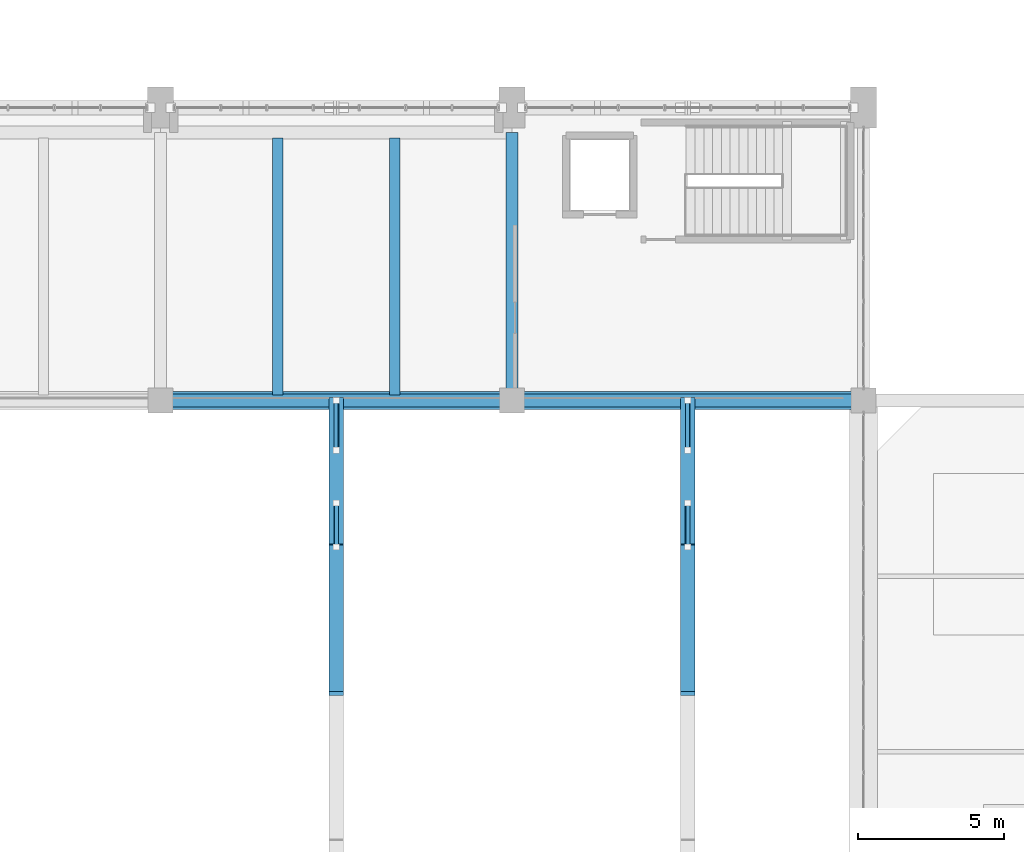
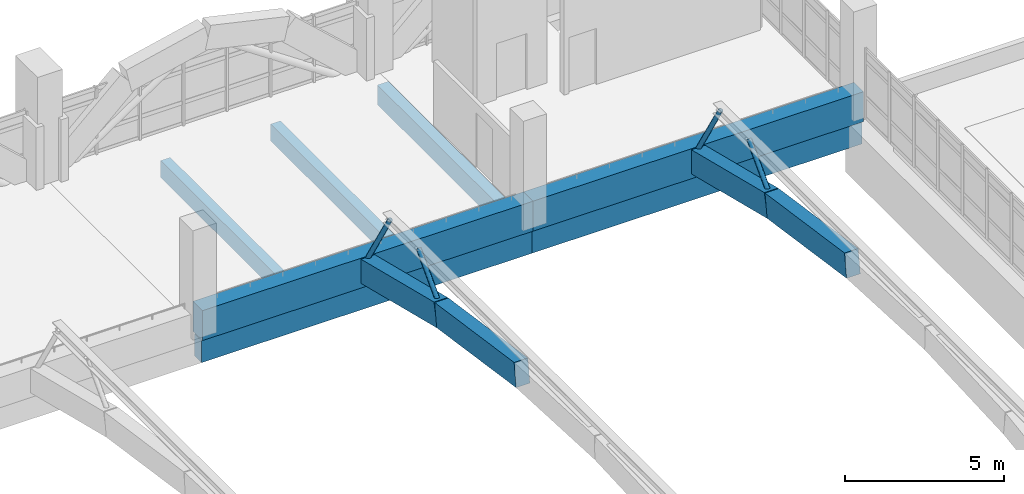
# One storey, part 56 of 161: 11 beams, 4 members.
"""IFC4 building model written with IfcOpenShell, lengths in metres."""

import ifcopenshell
import ifcopenshell.guid

model = None  # the IFC model being written
_history = None  # IfcOwnerHistory: only IFC2X3 demands one
_inside = {}  # id of a spatial element -> (the spatial element, [elements in it])
_under = {}  # id of a project, library or spatial element -> (it, [spatial elements below it])
_declared = {}  # id of a project -> (the project, [libraries it declares])
_typed = {}  # id of a type object -> (the type object, [elements of that type])
_made_of = {}  # id of a material, layer set ... -> (it, [elements and type objects made of it])


def new_model(schema):
    """Start an empty IFC model of exactly this schema.

    Asked for "IFC4X3", IfcOpenShell would pick the latest addendum, in which some entities
    have other attributes; the version numbers below select the first issue.
    IFC2X3 requires an IfcOwnerHistory on every rooted entity: one is made here for all.
    """
    global model, _history
    if schema == "IFC4X3":
        model = ifcopenshell.file(schema_version=(4, 3, 0, 0))
    else:
        model = ifcopenshell.file(schema=schema)
    _inside.clear()
    _under.clear()
    _declared.clear()
    _typed.clear()
    _made_of.clear()
    _history = None
    if model.schema == "IFC2X3":
        org = make("IfcOrganization", Name="unknown")
        user = make(
            "IfcPersonAndOrganization",
            ThePerson=make("IfcPerson", FamilyName="unknown"),
            TheOrganization=org,
        )
        app = make(
            "IfcApplication",
            ApplicationDeveloper=org,
            Version="unknown",
            ApplicationFullName="unknown",
            ApplicationIdentifier="unknown",
        )
        _history = make(
            "IfcOwnerHistory",
            OwningUser=user,
            OwningApplication=app,
            ChangeAction="ADDED",
            CreationDate=0,
        )
    return model


def make(cls, **values):
    """One entity of the class cls with the attributes given. An attribute that is None is left unset."""
    return model.create_entity(
        cls, **{name: value for name, value in values.items() if value is not None}
    )


def rooted(cls, **values):
    """An entity with a GlobalId (a new one), such as an element, a storey or a relation."""
    return make(cls, GlobalId=ifcopenshell.guid.new(), OwnerHistory=_history, **values)


def si_unit(unit_type, name, prefix=None):
    """IfcSIUnit, for example si_unit("LENGTHUNIT", "METRE", prefix="MILLI")."""
    return make("IfcSIUnit", UnitType=unit_type, Prefix=prefix, Name=name)


def assignment(units):
    """IfcUnitAssignment: the units of a project."""
    return None if units is None else make("IfcUnitAssignment", Units=units)


def point(xyz):
    """IfcCartesianPoint."""
    return None if xyz is None else make("IfcCartesianPoint", Coordinates=xyz)


def direction(xyz):
    """IfcDirection."""
    return None if xyz is None else make("IfcDirection", DirectionRatios=xyz)


def frame(location, z_axis=None, x_axis=None):
    """IfcAxis2Placement3D, a coordinate frame: its origin and axes. An axis left out is left unset."""
    return make(
        "IfcAxis2Placement3D",
        Location=point(location),
        Axis=direction(z_axis),
        RefDirection=direction(x_axis),
    )


def frame_2d(location, x_axis=None):
    """IfcAxis2Placement2D, a coordinate frame in the plane: its origin and x axis."""
    return make(
        "IfcAxis2Placement2D", Location=point(location), RefDirection=direction(x_axis)
    )


def origin():
    """The frame at (0, 0, 0) with its axes left unset."""
    return frame((0.0, 0.0, 0.0))


def origin_2d():
    """The frame at (0, 0) in the plane with its x axis left unset."""
    return frame_2d((0.0, 0.0))


def place(relative_to, where):
    """IfcLocalPlacement: puts the frame where relative to a parent placement (None: the world)."""
    return make(
        "IfcLocalPlacement", PlacementRelTo=relative_to, RelativePlacement=where
    )


def context(
    kind, dimensions, precision=None, world=None, true_north=None, identifier=None
):
    """IfcGeometricRepresentationContext, for example the 3D "Model" context."""
    return make(
        "IfcGeometricRepresentationContext",
        ContextIdentifier=identifier,
        ContextType=kind,
        CoordinateSpaceDimension=dimensions,
        Precision=precision,
        WorldCoordinateSystem=world,
        TrueNorth=true_north,
    )


def subcontext(parent, identifier, kind, view, scale=None):
    """IfcGeometricRepresentationSubContext, for example "Body" below "Model"."""
    return make(
        "IfcGeometricRepresentationSubContext",
        ContextIdentifier=identifier,
        ContextType=kind,
        ParentContext=parent,
        TargetScale=scale,
        TargetView=view,
    )


def project(units=None, contexts=None):
    """IfcProject with its units and contexts."""
    return rooted(
        "IfcProject",
        Name="project",
        RepresentationContexts=contexts,
        UnitsInContext=assignment(units),
    )


def spatial(cls, under=None, at=None, **own):
    """A site, building, storey or space (cls), placed at a placement, below another one or the project."""
    s = rooted(cls, ObjectPlacement=at, **own)
    if under is not None:
        _under.setdefault(under.id(), (under, []))[1].append(s)
    return s


def profile(cls, at=None, kind="AREA", **sizes):
    """A parametric profile (cls). Its sizes go by their IFC names, for example OverallWidth=200.0."""
    return make(cls, ProfileType=kind, Position=at, **sizes)


def rectangle(**sizes):
    """IfcRectangleProfileDef."""
    return profile("IfcRectangleProfileDef", **sizes)


def hollow_circle(**sizes):
    """IfcCircleHollowProfileDef."""
    return profile("IfcCircleHollowProfileDef", **sizes)


def extrude(swept, where, along, depth):
    """IfcExtrudedAreaSolid: the profile swept, set in the frame where, extruded along a direction by depth."""
    return make(
        "IfcExtrudedAreaSolid",
        SweptArea=swept,
        Position=where,
        ExtrudedDirection=direction(along),
        Depth=depth,
    )


def shape(context_of_items, identifier, shape_type, items):
    """IfcShapeRepresentation: the items that make up one representation, for example the "Body"."""
    return make(
        "IfcShapeRepresentation",
        ContextOfItems=context_of_items,
        RepresentationIdentifier=identifier,
        RepresentationType=shape_type,
        Items=items,
    )


def material(Name=None, Category=None):
    """IfcMaterial."""
    return make("IfcMaterial", Name=Name, Category=Category)


def material_profile(
    of_material, cross_section, Name=None, Category=None, Priority=None
):
    """IfcMaterialProfile: a cross section and its material."""
    return make(
        "IfcMaterialProfile",
        Name=Name,
        Material=of_material,
        Profile=cross_section,
        Priority=Priority,
        Category=Category,
    )


def profile_set(profiles, Name=None, composite=None):
    """IfcMaterialProfileSet."""
    return make(
        "IfcMaterialProfileSet",
        Name=Name,
        MaterialProfiles=profiles,
        CompositeProfile=composite,
    )


def made_of(thing, what):
    """Note that an element or type object is made of a material, layer set ...; save() writes the relation."""
    if what is not None:
        _made_of.setdefault(what.id(), (what, []))[1].append(thing)
    return thing


def type_object(cls, material=None, **own):
    """A type object (cls), such as IfcWallType, which elements share."""
    return made_of(rooted(cls, **own), material)


def element(
    cls,
    number,
    at=None,
    inside=None,
    cuts=None,
    type_object=None,
    material=None,
    context=None,
    identifier="Body",
    shape_type=None,
    held_by="IfcProductDefinitionShape",
    body=None,
    shapes=None,
    **own,
):
    """One element of the class cls, such as IfcWall. Its Tag is "e" and its number.

    at: its placement. inside: the storey or other place that contains it. cuts: it is an
    opening in that element (IfcRelVoidsElement). A single representation is given by context,
    identifier, shape_type and body (its items); several are given by shapes. held_by: the class
    of the entity that holds the representations. save() writes the other relations.
    """
    e = rooted(cls, Tag="e%d" % number, ObjectPlacement=at, **own)
    if body is not None:
        shapes = [shape(context, identifier, shape_type, body)]
    if shapes is not None:
        e.Representation = make(held_by, Representations=shapes)
    if inside is not None:
        _inside.setdefault(inside.id(), (inside, []))[1].append(e)
    if cuts is not None:
        rooted(
            "IfcRelVoidsElement", RelatingBuildingElement=cuts, RelatedOpeningElement=e
        )
    if type_object is not None:
        _typed.setdefault(type_object.id(), (type_object, []))[1].append(e)
    return made_of(e, material)


def aggregate(whole, parts):
    """IfcRelAggregates: a whole, such as a stair, and the parts it consists of."""
    return rooted("IfcRelAggregates", RelatingObject=whole, RelatedObjects=parts)


def save(model, path):
    """Write the relations noted so far, then the file.

    IfcRelAggregates (storeys below a building ...), IfcRelContainedInSpatialStructure (elements
    in a storey), IfcRelDefinesByType, IfcRelAssociatesMaterial and IfcRelDeclares: one each for
    every whole, place, type object, material and project.
    """
    for whole, parts in _under.values():
        aggregate(whole, parts)
    for where, things in _inside.values():
        rooted(
            "IfcRelContainedInSpatialStructure",
            RelatedElements=things,
            RelatingStructure=where,
        )
    for kind, things in _typed.values():
        rooted("IfcRelDefinesByType", RelatedObjects=things, RelatingType=kind)
    for what, things in _made_of.values():
        rooted("IfcRelAssociatesMaterial", RelatedObjects=things, RelatingMaterial=what)
    for by, libraries in _declared.values():
        rooted("IfcRelDeclares", RelatingContext=by, RelatedDefinitions=libraries)
    model.write(path)


model = new_model("IFC4")

# Units and contexts
model_context = context("Model", 3, precision=1e-05, world=origin(), true_north=direction((0.0, 1.0)))
body_context = subcontext(model_context, "Body", "Model", "MODEL_VIEW")
ifc_project = project(units=[si_unit("LENGTHUNIT", "METRE"), si_unit("AREAUNIT", "SQUARE_METRE"), si_unit("VOLUMEUNIT", "CUBIC_METRE"), si_unit("PLANEANGLEUNIT", "RADIAN"), si_unit("MASSUNIT", "GRAM", prefix="KILO")], contexts=[model_context])

# Site, building, storey
site_placement = place(None, origin())
site = spatial("IfcSite", under=ifc_project, at=site_placement, CompositionType="ELEMENT")
building_placement = place(site_placement, origin())
building = spatial("IfcBuilding", under=site, at=building_placement, Name="Mersad Railyard Sports Hall", CompositionType="ELEMENT")
storey_placement = place(building_placement, frame((0.0, 0.0, 4.800048828125)))
storey = spatial("IfcBuildingStorey", under=building, at=storey_placement, Name="L01", CompositionType="ELEMENT", Elevation=4.800048828125)

# Beams
ifc_material_1 = material(Name="Concrete C40/50", Category="concrete")
ifc_material_profile_1 = material_profile(ifc_material_1, rectangle(XDim=0.39990234375, YDim=0.75, at=origin_2d()), Name="RC 400x750")
ifc_profile_set_1 = profile_set([ifc_material_profile_1], Name="Concrete C40/50")
beam_type_1 = type_object("IfcBeamType", Name="STR-BM-B01", PredefinedType="BEAM", material=ifc_profile_set_1)
beam_1_placement = place(storey_placement, frame((79.0, 43.5, -0.655029296875), z_axis=(0.0, 1.0, 0.0), x_axis=(-1.0, 0.0, 0.0)))
element("IfcBeam", 1, at=beam_1_placement, inside=storey, type_object=beam_type_1, Name="Beam B01-0315", PredefinedType="BEAM", context=body_context, shape_type="SweptSolid", body=[
    extrude(rectangle(XDim=0.39990234375, YDim=0.75, at=origin_2d()), origin(), (0.0, 0.0, 1.0), 9.14990234375),
])
ifc_material_profile_2 = material_profile(ifc_material_1, rectangle(XDim=0.449951171875, YDim=0.85009765625, at=origin_2d()), Name="RC 450x850")
ifc_profile_set_2 = profile_set([ifc_material_profile_2], Name="Concrete C40/50")
beam_type_2 = type_object("IfcBeamType", Name="STR-BM-B02", PredefinedType="BEAM", material=ifc_profile_set_2)
for number, where, z_axis, x_axis, name in (
    (2, (67.0, 43.5, -0.705078125), (1.0, 0.0, 0.0), (0.0, 1.0, 0.0), "Beam B02-0304"),
    (3, (79.0, 43.5, -0.705078125), (1.0, 0.0, 0.0), (0.0, 1.0, 0.0), "Beam B02-0319"),
):
    element("IfcBeam", number, at=place(storey_placement, frame(where, z_axis=z_axis, x_axis=x_axis)), inside=storey, type_object=beam_type_2, Name=name, PredefinedType="BEAM", context=body_context, shape_type="SweptSolid", body=[
        extrude(rectangle(XDim=0.449951171875, YDim=0.85009765625, at=origin_2d()), origin(), (0.0, 0.0, 1.0), 12.0),
    ])
ifc_material_2 = material(Name="Concrete C50/60", Category="concrete")
ifc_material_profile_3 = material_profile(ifc_material_2, rectangle(XDim=0.60009765625, YDim=1.14990234375, at=origin_2d()), Name="RC 600x1150")
ifc_profile_set_3 = profile_set([ifc_material_profile_3], Name="Concrete C50/60")
beam_type_3 = type_object("IfcBeamType", Name="STR-BM-B05", PredefinedType="BEAM", material=ifc_profile_set_3)
for number, where, z_axis, x_axis, name in (
    (4, (67.0, 43.5, 0.33984375), (1.0, 0.0, 0.0), (0.0, 1.0, 0.0), "Beam B05-0545"),
    (5, (79.0, 43.5, 0.33984375), (1.0, 0.0, 0.0), (0.0, 1.0, 0.0), "Beam B05-0553"),
):
    element("IfcBeam", number, at=place(storey_placement, frame(where, z_axis=z_axis, x_axis=x_axis)), inside=storey, type_object=beam_type_3, Name=name, PredefinedType="BEAM", context=body_context, shape_type="SweptSolid", body=[
        extrude(rectangle(XDim=0.60009765625, YDim=1.14990234375, at=origin_2d()), origin(), (0.0, 0.0, 1.0), 12.0),
    ])
ifc_material_profile_4 = material_profile(ifc_material_1, rectangle(XDim=0.35009765625, YDim=0.64990234375, at=origin_2d()), Name="RC 350x650")
ifc_profile_set_4 = profile_set([ifc_material_profile_4], Name="Concrete C40/50")
beam_type_4 = type_object("IfcBeamType", Name="STR-BM-J01", PredefinedType="JOIST", material=ifc_profile_set_4)
for number, where, z_axis, x_axis, name in (
    (6, (71.0, 43.679931640625, -0.60498046875), (0.0, 1.0, 0.0), (-1.0, 0.0, 0.0), "Beam J01-0412"),
    (7, (75.0, 43.679931640625, -0.60498046875), (0.0, 1.0, 0.0), (-1.0, 0.0, 0.0), "Beam J01-0413"),
):
    element("IfcBeam", number, at=place(storey_placement, frame(where, z_axis=z_axis, x_axis=x_axis)), inside=storey, type_object=beam_type_4, Name=name, PredefinedType="JOIST", context=body_context, shape_type="SweptSolid", body=[
        extrude(rectangle(XDim=0.35009765625, YDim=0.64990234375, at=origin_2d()), origin(), (0.0, 0.0, 1.0), 8.7900390625),
    ])
ifc_material_3 = material(Name="Architectural concrete C50/60", Category="concrete")
ifc_material_profile_5 = material_profile(ifc_material_3, rectangle(XDim=0.5, YDim=0.89990234375, at=origin_2d()), Name="VR 500x900")
ifc_profile_set_5 = profile_set([ifc_material_profile_5], Name="Architectural concrete C50/60")
beam_type_5 = type_object("IfcBeamType", Name="STR-BM-VR02", PredefinedType="BEAM", material=ifc_profile_set_5)
beam_2_placement = place(storey_placement, frame((73.0, 33.5, 2.30908203125), z_axis=(0.0, 0.989516876333, -0.144417282391), x_axis=(-1.0, 0.0, 0.0)))
element("IfcBeam", 8, at=beam_2_placement, inside=storey, type_object=beam_type_5, Name="Beam VR02-0550", PredefinedType="BEAM", context=body_context, shape_type="SweptSolid", body=[
    extrude(rectangle(XDim=0.5, YDim=0.89990234375, at=origin_2d()), origin(), (0.0, 0.0, 1.0), 5.052978515625),
])
beam_3_placement = place(storey_placement, frame((73.0, 38.5, 1.579345703125), z_axis=(0.0, 0.970609045837, -0.240661754627), x_axis=(-1.0, 0.0, 0.0)))
element("IfcBeam", 9, at=beam_3_placement, inside=storey, type_object=beam_type_5, Name="Beam VR02-0551", PredefinedType="BEAM", context=body_context, shape_type="SweptSolid", body=[
    extrude(rectangle(XDim=0.5, YDim=0.89990234375, at=origin_2d()), origin(), (0.0, 0.0, 1.0), 5.1513671875),
])
beam_4_placement = place(storey_placement, frame((85.0, 33.5, 2.30908203125), z_axis=(0.0, 0.989516876333, -0.144417282391), x_axis=(-1.0, 0.0, 0.0)))
element("IfcBeam", 10, at=beam_4_placement, inside=storey, type_object=beam_type_5, Name="Beam VR02-0558", PredefinedType="BEAM", context=body_context, shape_type="SweptSolid", body=[
    extrude(rectangle(XDim=0.5, YDim=0.89990234375, at=origin_2d()), origin(), (0.0, 0.0, 1.0), 5.052978515625),
])
beam_5_placement = place(storey_placement, frame((85.0, 38.5, 1.579345703125), z_axis=(0.0, 0.970609045837, -0.240661754627), x_axis=(-1.0, 0.0, 0.0)))
element("IfcBeam", 11, at=beam_5_placement, inside=storey, type_object=beam_type_5, Name="Beam VR02-0559", PredefinedType="BEAM", context=body_context, shape_type="SweptSolid", body=[
    extrude(rectangle(XDim=0.5, YDim=0.89990234375, at=origin_2d()), origin(), (0.0, 0.0, 1.0), 5.1513671875),
])

# Members
ifc_material_4 = material(Name="Steel S355", Category="steel")
ifc_material_profile_6 = material_profile(ifc_material_4, hollow_circle(Radius=0.084228515625, WallThickness=0.008056640625, at=origin_2d()), Name="CHS 168.3x8")
ifc_profile_set_6 = profile_set([ifc_material_profile_6], Name="Steel S355")
member_type = type_object("IfcMemberType", Name="STR-MEM-BR03", PredefinedType="BRACE", material=ifc_profile_set_6)
member_1_placement = place(storey_placement, frame((73.0, 43.5, 0.339599609375), z_axis=(0.0, -0.517575030521, 0.855637825123), x_axis=(1.0, 0.0, 0.0)))
element("IfcMember", 12, at=member_1_placement, inside=storey, type_object=member_type, Name="Structural member BR03-0087", PredefinedType="BRACE", context=body_context, shape_type="SweptSolid", body=[
    extrude(hollow_circle(Radius=0.084228515625, WallThickness=0.008056640625, at=origin_2d()), origin(), (0.0, 0.0, 1.0), 3.284423828125),
])
member_2_placement = place(storey_placement, frame((73.0, 38.5, 1.579345703125), z_axis=(0.0, 0.690676243766, 0.723164107446), x_axis=(-1.0, 0.0, 0.0)))
element("IfcMember", 13, at=member_2_placement, inside=storey, type_object=member_type, Name="Structural member BR03-0088", PredefinedType="BRACE", context=body_context, shape_type="SweptSolid", body=[
    extrude(hollow_circle(Radius=0.084228515625, WallThickness=0.008056640625, at=origin_2d()), origin(), (0.0, 0.0, 1.0), 2.171875),
])
member_3_placement = place(storey_placement, frame((85.0, 43.5, 0.339599609375), z_axis=(0.0, -0.517575030521, 0.855637825123), x_axis=(1.0, 0.0, 0.0)))
element("IfcMember", 14, at=member_3_placement, inside=storey, type_object=member_type, Name="Structural member BR03-0092", PredefinedType="BRACE", context=body_context, shape_type="SweptSolid", body=[
    extrude(hollow_circle(Radius=0.084228515625, WallThickness=0.008056640625, at=origin_2d()), origin(), (0.0, 0.0, 1.0), 3.284423828125),
])
member_4_placement = place(storey_placement, frame((85.0, 38.5, 1.579345703125), z_axis=(0.0, 0.690676243766, 0.723164107446), x_axis=(-1.0, 0.0, 0.0)))
element("IfcMember", 15, at=member_4_placement, inside=storey, type_object=member_type, Name="Structural member BR03-0093", PredefinedType="BRACE", context=body_context, shape_type="SweptSolid", body=[
    extrude(hollow_circle(Radius=0.084228515625, WallThickness=0.008056640625, at=origin_2d()), origin(), (0.0, 0.0, 1.0), 2.171875),
])

save(model, "model.ifc")
